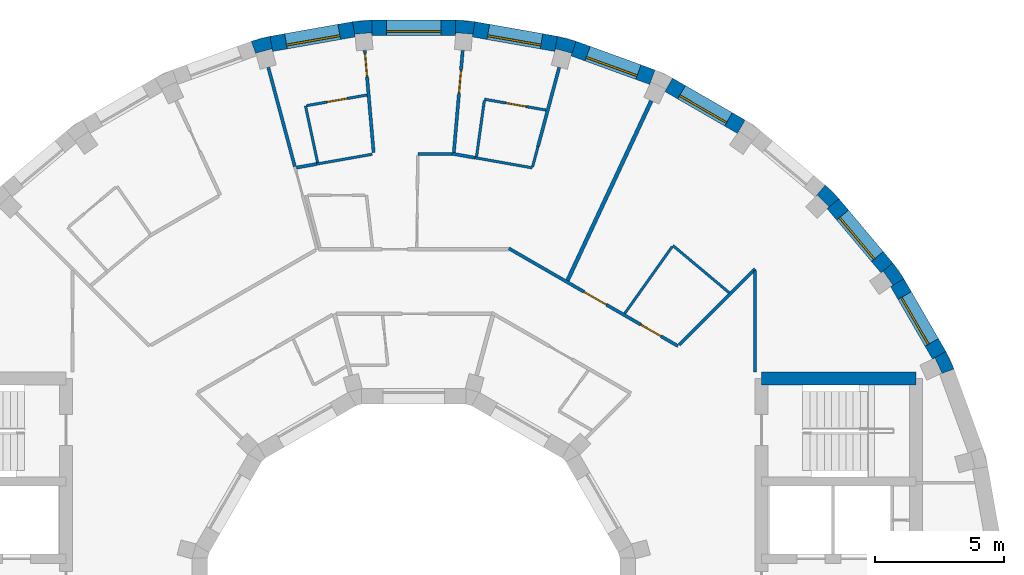
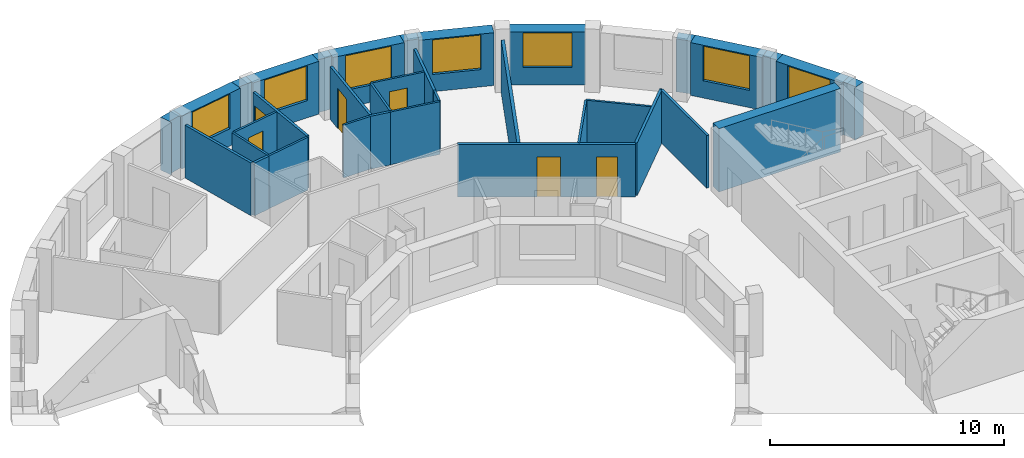
# One storey, part 10 of 12: 35 walls, 7 windows, 6 doors, 13 openings.
"""IFC4 building model written with IfcOpenShell, lengths in metres."""

from ifc_helpers import new_model, si_unit, direction, frame, frame_2d, origin, place, context, subcontext, project, spatial, polyline, rectangle, outline, extrude, material, layer, layer_set, type_object, element, fill, save


model = new_model("IFC4")

# Units and contexts
model_context = context("Model", 3, precision=1e-05, world=origin(), true_north=direction((0.0, 1.0)))
body_context = subcontext(model_context, "Body", "Model", "MODEL_VIEW")
ifc_project = project(units=[si_unit("LENGTHUNIT", "METRE"), si_unit("AREAUNIT", "SQUARE_METRE"), si_unit("VOLUMEUNIT", "CUBIC_METRE"), si_unit("PLANEANGLEUNIT", "RADIAN"), si_unit("MASSUNIT", "GRAM", prefix="KILO")], contexts=[model_context])

# Site, building, storey
site_placement = place(None, origin())
site = spatial("IfcSite", under=ifc_project, at=site_placement, CompositionType="ELEMENT")
building_placement = place(site_placement, origin())
building = spatial("IfcBuilding", under=site, at=building_placement, Name="Saqina Gate Tower", CompositionType="ELEMENT")
storey_placement = place(building_placement, frame((0.0, 0.0, 275.89990234375)))
storey = spatial("IfcBuildingStorey", under=building, at=storey_placement, Name="L79", CompositionType="ELEMENT", Elevation=275.89990234375)

# Walls
ifc_material_1 = material(Name="Brick masonry (buff)", Category="masonry")
wall_type_1 = type_object("IfcWallType", Name="BRICK PIER COPING BUFF", PredefinedType="SOLIDWALL", material=ifc_material_1)
wall_1_placement = place(storey_placement, origin())
element("IfcWall", 1, at=wall_1_placement, inside=storey, type_object=wall_type_1, Name="Pier cap L79 column 3", PredefinedType="SOLIDWALL", context=body_context, shape_type="SweptSolid", body=[
    extrude(outline(polyline([(20.974609375, 9.3642578125), (20.65576171875, 10.048095703125), (20.135986328125, 9.748291015625), (20.23193359375, 9.79296875), (20.506591796875, 9.203857421875), (20.410888671875, 9.1591796875), (20.974609375, 9.3642578125)])), origin(), (0.0, 0.0, 1.0), 2.75),
])
wall_2_placement = place(storey_placement, origin())
element("IfcWall", 2, at=wall_2_placement, inside=storey, type_object=wall_type_1, Name="Pier cap L79 column 4", PredefinedType="SOLIDWALL", context=body_context, shape_type="SweptSolid", body=[
    extrude(outline(polyline([(19.02978515625, 12.8642578125), (18.59716796875, 13.482421875), (18.137451171875, 13.0966796875), (18.22412109375, 13.157470703125), (18.596923828125, 12.625), (18.51025390625, 12.564208984375), (19.02978515625, 12.8642578125)])), origin(), (0.0, 0.0, 1.0), 2.75),
])
wall_3_placement = place(storey_placement, origin())
element("IfcWall", 3, at=wall_3_placement, inside=storey, type_object=wall_type_1, Name="Pier cap L79 column 5", PredefinedType="SOLIDWALL", context=body_context, shape_type="SweptSolid", body=[
    extrude(outline(polyline([(15.973388671875, 16.5068359375), (15.587646484375, 16.04736328125), (15.662353515625, 16.1220703125), (16.1220703125, 15.662353515625), (16.04736328125, 15.587646484375), (16.5068359375, 15.973388671875), (15.973388671875, 16.5068359375)])), origin(), (0.0, 0.0, 1.0), 2.75),
])
wall_4_placement = place(storey_placement, origin())
element("IfcWall", 4, at=wall_4_placement, inside=storey, type_object=wall_type_1, Name="Pier cap L79 column 8", PredefinedType="SOLIDWALL", context=body_context, shape_type="SweptSolid", body=[
    extrude(outline(polyline([(5.579833984375, 22.281982421875), (5.4755859375, 21.691162109375), (5.5029296875, 21.793212890625), (6.130859375, 21.625), (6.103515625, 21.52294921875), (6.30859375, 22.0869140625), (5.579833984375, 22.281982421875)])), origin(), (0.0, 0.0, 1.0), 2.75),
])
wall_5_placement = place(storey_placement, origin())
element("IfcWall", 5, at=wall_5_placement, inside=storey, type_object=wall_type_1, Name="Pier cap L79 column 9", PredefinedType="SOLIDWALL", context=body_context, shape_type="SweptSolid", body=[
    extrude(outline(polyline([(2.377685546875, 22.8466796875), (1.625732421875, 22.91259765625), (1.625732421875, 22.3125), (1.635009765625, 22.417724609375), (2.28271484375, 22.361083984375), (2.2734375, 22.255859375), (2.377685546875, 22.8466796875)])), origin(), (0.0, 0.0, 1.0), 2.75),
])
wall_6_placement = place(storey_placement, origin())
element("IfcWall", 6, at=wall_6_placement, inside=storey, type_object=wall_type_1, Name="Pier cap L79 column 10", PredefinedType="SOLIDWALL", context=body_context, shape_type="SweptSolid", body=[
    extrude(outline(polyline([(-1.625732421875, 22.91259765625), (-2.377685546875, 22.8466796875), (-2.2734375, 22.255859375), (-2.28271484375, 22.361083984375), (-1.635009765625, 22.417724609375), (-1.625732421875, 22.3125), (-1.625732421875, 22.91259765625)])), origin(), (0.0, 0.0, 1.0), 2.75),
])
wall_7_placement = place(storey_placement, origin())
element("IfcWall", 7, at=wall_7_placement, inside=storey, type_object=wall_type_1, Name="Pier cap L79 column 11", PredefinedType="SOLIDWALL", context=body_context, shape_type="SweptSolid", body=[
    extrude(outline(polyline([(-6.30859375, 22.0869140625), (-6.103515625, 21.52294921875), (-6.130859375, 21.625), (-5.5029296875, 21.793212890625), (-5.4755859375, 21.691162109375), (-5.579833984375, 22.281982421875), (-6.30859375, 22.0869140625)])), origin(), (0.0, 0.0, 1.0), 2.75),
])

# Wall, opening, window
ifc_material_2 = material(Name="Brick masonry (buff)", Category="masonry")
ifc_layer_1 = layer(ifc_material_2, 0.60009765625)
ifc_layer_set_1 = layer_set([ifc_layer_1], Name="FW-BRICK-BUFF")
wall_type_2 = type_object("IfcWallType", Name="FW-BRICK-BUFF", PredefinedType="SOLIDWALL", material=ifc_layer_set_1)
wall_8_placement = place(storey_placement, frame((20.39599609375, 9.898193359375, 0.0), z_axis=(0.0, 0.0, 1.0), x_axis=(-0.500014901547, 0.866016800201, 0.0)))
wall_8 = element("IfcWall", 8, at=wall_8_placement, inside=storey, type_object=wall_type_2, Name="Facade wall L79 facet 3", PredefinedType="SOLIDWALL", context=body_context, shape_type="SweptSolid", body=[
    extrude(rectangle(XDim=3.251953125, YDim=0.60009765625, at=frame_2d((1.6259765625, 0.0))), origin(), (0.0, 0.0, 1.0), 2.75),
])
opening_1_placement = place(wall_8_placement, frame((0.57568359375, 0.0, 0.89990234375)))
opening_1 = element("IfcOpeningElement", 9, at=opening_1_placement, cuts=wall_8, Name="Opening G23-W01", PredefinedType="OPENING", context=body_context, shape_type="SweptSolid", body=[
    extrude(rectangle(XDim=2.10009765625, YDim=1.800048828125, at=frame_2d((1.050048828125, 0.89990234375))), frame((0.0, 0.31201171875, 0.0), z_axis=(0.0, -1.0, 0.0), x_axis=(1.0, 0.0, 0.0)), (0.0, 0.0, 1.0), 0.6240234375),
])
ifc_material_3 = material(Name="Aluminium glazing", Category="aluminium")
window_type = type_object("IfcWindowType", Name="WN-D", PartitioningType="SINGLE_PANEL", PredefinedType="WINDOW", material=ifc_material_3)
window_1_placement = place(opening_1_placement, origin())
window_1 = element("IfcWindow", 10, at=window_1_placement, inside=storey, type_object=window_type, Name="Window L79 facet 3", OverallHeight=1.800048828125, OverallWidth=2.10009765625, PartitioningType="SINGLE_PANEL", PredefinedType="WINDOW", context=body_context, shape_type="SweptSolid", body=[
    extrude(rectangle(XDim=2.10009765625, YDim=1.800048828125, at=frame_2d((1.050048828125, 0.89990234375))), frame((0.0, 0.179931640625, 0.0), z_axis=(0.0, -1.0, 0.0), x_axis=(1.0, 0.0, 0.0)), (0.0, 0.0, 1.0), 0.06005859375),
])
fill(opening_1, window_1)

wall_9_placement = place(storey_placement, frame((18.3671875, 13.28955078125, 0.0), z_axis=(0.0, 0.0, 1.0), x_axis=(-0.64277291405, 0.766056773982, 0.0)))
wall_9 = element("IfcWall", 11, at=wall_9_placement, inside=storey, type_object=wall_type_2, Name="Facade wall L79 facet 4", PredefinedType="SOLIDWALL", context=body_context, shape_type="SweptSolid", body=[
    extrude(rectangle(XDim=3.251708984375, YDim=0.60009765625, at=frame_2d((1.6259765625, 0.0))), origin(), (0.0, 0.0, 1.0), 2.75),
])
opening_2_placement = place(wall_9_placement, frame((0.57568359375, 0.0, 0.89990234375)))
opening_2 = element("IfcOpeningElement", 12, at=opening_2_placement, cuts=wall_9, Name="Opening G23-W02", PredefinedType="OPENING", context=body_context, shape_type="SweptSolid", body=[
    extrude(rectangle(XDim=2.10009765625, YDim=1.800048828125, at=frame_2d((1.050048828125, 0.89990234375))), frame((0.0, 0.31201171875, 0.0), z_axis=(0.0, -1.0, 0.0), x_axis=(1.0, 0.0, 0.0)), (0.0, 0.0, 1.0), 0.6240234375),
])
window_2_placement = place(opening_2_placement, origin())
window_2 = element("IfcWindow", 13, at=window_2_placement, inside=storey, type_object=window_type, Name="Window L79 facet 4", OverallHeight=1.800048828125, OverallWidth=2.10009765625, PartitioningType="SINGLE_PANEL", PredefinedType="WINDOW", context=body_context, shape_type="SweptSolid", body=[
    extrude(rectangle(XDim=2.10009765625, YDim=1.800048828125, at=frame_2d((1.050048828125, 0.89990234375))), frame((0.0, 0.179931640625, 0.0), z_axis=(0.0, -1.0, 0.0), x_axis=(1.0, 0.0, 0.0)), (0.0, 0.0, 1.0), 0.06005859375),
])
fill(opening_2, window_2)

wall_10_placement = place(storey_placement, frame((12.71435546875, 18.77001953125, 0.0), z_axis=(0.0, 0.0, 1.0), x_axis=(-0.866016800201, 0.500014901547, 0.0)))
wall_10 = element("IfcWall", 14, at=wall_10_placement, inside=storey, type_object=wall_type_2, Name="Facade wall L79 facet 6", PredefinedType="SOLIDWALL", context=body_context, shape_type="SweptSolid", body=[
    extrude(rectangle(XDim=3.251953125, YDim=0.60009765625, at=frame_2d((1.6259765625, 0.0))), origin(), (0.0, 0.0, 1.0), 2.75),
])
opening_3_placement = place(wall_10_placement, frame((0.57568359375, 0.0, 0.89990234375)))
opening_3 = element("IfcOpeningElement", 15, at=opening_3_placement, cuts=wall_10, Name="Opening G23-W04", PredefinedType="OPENING", context=body_context, shape_type="SweptSolid", body=[
    extrude(rectangle(XDim=2.10009765625, YDim=1.800048828125, at=frame_2d((1.050048828125, 0.89990234375))), frame((0.0, 0.31201171875, 0.0), z_axis=(0.0, -1.0, 0.0), x_axis=(1.0, 0.0, 0.0)), (0.0, 0.0, 1.0), 0.6240234375),
])
window_3_placement = place(opening_3_placement, origin())
window_3 = element("IfcWindow", 16, at=window_3_placement, inside=storey, type_object=window_type, Name="Window L79 facet 6", OverallHeight=1.800048828125, OverallWidth=2.10009765625, PartitioningType="SINGLE_PANEL", PredefinedType="WINDOW", context=body_context, shape_type="SweptSolid", body=[
    extrude(rectangle(XDim=2.10009765625, YDim=1.800048828125, at=frame_2d((1.050048828125, 0.89990234375))), frame((0.0, 0.179931640625, 0.0), z_axis=(0.0, -1.0, 0.0), x_axis=(1.0, 0.0, 0.0)), (0.0, 0.0, 1.0), 0.06005859375),
])
fill(opening_3, window_3)

wall_11_placement = place(storey_placement, frame((9.26171875, 20.692626953125, 0.0), z_axis=(0.0, 0.0, 1.0), x_axis=(-0.939679383794, 0.342056509473, 0.0)))
wall_11 = element("IfcWall", 17, at=wall_11_placement, inside=storey, type_object=wall_type_2, Name="Facade wall L79 facet 7", PredefinedType="SOLIDWALL", context=body_context, shape_type="SweptSolid", body=[
    extrude(rectangle(XDim=3.251708984375, YDim=0.60009765625, at=frame_2d((1.6259765625, 0.0))), origin(), (0.0, 0.0, 1.0), 2.75),
])
opening_4_placement = place(wall_11_placement, frame((0.57568359375, 0.0, 0.89990234375)))
opening_4 = element("IfcOpeningElement", 18, at=opening_4_placement, cuts=wall_11, Name="Opening G23-W05", PredefinedType="OPENING", context=body_context, shape_type="SweptSolid", body=[
    extrude(rectangle(XDim=2.10009765625, YDim=1.800048828125, at=frame_2d((1.050048828125, 0.89990234375))), frame((0.0, 0.31201171875, 0.0), z_axis=(0.0, -1.0, 0.0), x_axis=(1.0, 0.0, 0.0)), (0.0, 0.0, 1.0), 0.6240234375),
])
window_4_placement = place(opening_4_placement, origin())
window_4 = element("IfcWindow", 19, at=window_4_placement, inside=storey, type_object=window_type, Name="Window L79 facet 7", OverallHeight=1.800048828125, OverallWidth=2.10009765625, PartitioningType="SINGLE_PANEL", PredefinedType="WINDOW", context=body_context, shape_type="SweptSolid", body=[
    extrude(rectangle(XDim=2.10009765625, YDim=1.800048828125, at=frame_2d((1.050048828125, 0.89990234375))), frame((0.0, 0.179931640625, 0.0), z_axis=(0.0, -1.0, 0.0), x_axis=(1.0, 0.0, 0.0)), (0.0, 0.0, 1.0), 0.06005859375),
])
fill(opening_4, window_4)

wall_12_placement = place(storey_placement, frame((5.52783203125, 21.986572265625, 0.0), z_axis=(0.0, 0.0, 1.0), x_axis=(-0.984806225186, 0.173656842178, 0.0)))
wall_12 = element("IfcWall", 20, at=wall_12_placement, inside=storey, type_object=wall_type_2, Name="Facade wall L79 facet 8", PredefinedType="SOLIDWALL", context=body_context, shape_type="SweptSolid", body=[
    extrude(rectangle(XDim=3.251708984375, YDim=0.60009765625, at=frame_2d((1.6259765625, 0.0))), origin(), (0.0, 0.0, 1.0), 2.75),
])
opening_5_placement = place(wall_12_placement, frame((0.57568359375, 0.0, 0.89990234375)))
opening_5 = element("IfcOpeningElement", 21, at=opening_5_placement, cuts=wall_12, Name="Opening G23-W06", PredefinedType="OPENING", context=body_context, shape_type="SweptSolid", body=[
    extrude(rectangle(XDim=2.10009765625, YDim=1.800048828125, at=frame_2d((1.050048828125, 0.89990234375))), frame((0.0, 0.31201171875, 0.0), z_axis=(0.0, -1.0, 0.0), x_axis=(1.0, 0.0, 0.0)), (0.0, 0.0, 1.0), 0.6240234375),
])
window_5_placement = place(opening_5_placement, origin())
window_5 = element("IfcWindow", 22, at=window_5_placement, inside=storey, type_object=window_type, Name="Window L79 facet 8", OverallHeight=1.800048828125, OverallWidth=2.10009765625, PartitioningType="SINGLE_PANEL", PredefinedType="WINDOW", context=body_context, shape_type="SweptSolid", body=[
    extrude(rectangle(XDim=2.10009765625, YDim=1.800048828125, at=frame_2d((1.050048828125, 0.89990234375))), frame((0.0, 0.179931640625, 0.0), z_axis=(0.0, -1.0, 0.0), x_axis=(1.0, 0.0, 0.0)), (0.0, 0.0, 1.0), 0.06005859375),
])
fill(opening_5, window_5)

wall_13_placement = place(storey_placement, frame((1.625732421875, 22.612548828125, 0.0), z_axis=(0.0, 0.0, 1.0), x_axis=(-1.0, 0.0, 0.0)))
wall_13 = element("IfcWall", 23, at=wall_13_placement, inside=storey, type_object=wall_type_2, Name="Facade wall L79 facet 9", PredefinedType="SOLIDWALL", context=body_context, shape_type="SweptSolid", body=[
    extrude(rectangle(XDim=3.25146484375, YDim=0.60009765625, at=frame_2d((1.625732421875, 0.0))), origin(), (0.0, 0.0, 1.0), 2.75),
])
opening_6_placement = place(wall_13_placement, frame((0.57568359375, 0.0, 0.89990234375)))
opening_6 = element("IfcOpeningElement", 24, at=opening_6_placement, cuts=wall_13, Name="Opening G23-W07", PredefinedType="OPENING", context=body_context, shape_type="SweptSolid", body=[
    extrude(rectangle(XDim=2.10009765625, YDim=1.800048828125, at=frame_2d((1.050048828125, 0.89990234375))), frame((0.0, 0.31201171875, 0.0), z_axis=(0.0, -1.0, 0.0), x_axis=(1.0, 0.0, 0.0)), (0.0, 0.0, 1.0), 0.6240234375),
])
window_6_placement = place(opening_6_placement, origin())
window_6 = element("IfcWindow", 25, at=window_6_placement, inside=storey, type_object=window_type, Name="Window L79 facet 9", OverallHeight=1.800048828125, OverallWidth=2.10009765625, PartitioningType="SINGLE_PANEL", PredefinedType="WINDOW", context=body_context, shape_type="SweptSolid", body=[
    extrude(rectangle(XDim=2.10009765625, YDim=1.800048828125, at=frame_2d((1.050048828125, 0.89990234375))), frame((0.0, 0.179931640625, 0.0), z_axis=(0.0, -1.0, 0.0), x_axis=(1.0, 0.0, 0.0)), (0.0, 0.0, 1.0), 0.06005859375),
])
fill(opening_6, window_6)

wall_14_placement = place(storey_placement, frame((-2.325439453125, 22.55126953125, 0.0), z_axis=(0.0, 0.0, 1.0), x_axis=(-0.984806225186, -0.173656842178, 0.0)))
wall_14 = element("IfcWall", 26, at=wall_14_placement, inside=storey, type_object=wall_type_2, Name="Facade wall L79 facet 10", PredefinedType="SOLIDWALL", context=body_context, shape_type="SweptSolid", body=[
    extrude(rectangle(XDim=3.251708984375, YDim=0.60009765625, at=frame_2d((1.6259765625, 0.0))), origin(), (0.0, 0.0, 1.0), 2.75),
])
opening_7_placement = place(wall_14_placement, frame((0.57568359375, 0.0, 0.89990234375)))
opening_7 = element("IfcOpeningElement", 27, at=opening_7_placement, cuts=wall_14, Name="Opening G23-W08", PredefinedType="OPENING", context=body_context, shape_type="SweptSolid", body=[
    extrude(rectangle(XDim=2.10009765625, YDim=1.800048828125, at=frame_2d((1.050048828125, 0.89990234375))), frame((0.0, 0.31201171875, 0.0), z_axis=(0.0, -1.0, 0.0), x_axis=(1.0, 0.0, 0.0)), (0.0, 0.0, 1.0), 0.6240234375),
])
window_7_placement = place(opening_7_placement, origin())
window_7 = element("IfcWindow", 28, at=window_7_placement, inside=storey, type_object=window_type, Name="Window L79 facet 10", OverallHeight=1.800048828125, OverallWidth=2.10009765625, PartitioningType="SINGLE_PANEL", PredefinedType="WINDOW", context=body_context, shape_type="SweptSolid", body=[
    extrude(rectangle(XDim=2.10009765625, YDim=1.800048828125, at=frame_2d((1.050048828125, 0.89990234375))), frame((0.0, 0.179931640625, 0.0), z_axis=(0.0, -1.0, 0.0), x_axis=(1.0, 0.0, 0.0)), (0.0, 0.0, 1.0), 0.06005859375),
])
fill(opening_7, window_7)

# Walls
ifc_material_4 = material(Name="Gypsum board on steel studs, 100 mm", Category="steel")
ifc_layer_2 = layer(ifc_material_4, 0.10009765625)
ifc_layer_set_2 = layer_set([ifc_layer_2], Name="PARTITION 100")
wall_type_3 = type_object("IfcWallType", Name="PARTITION 100", PredefinedType="PARTITIONING", material=ifc_layer_set_2)
wall_15_placement = place(storey_placement, frame((-4.202880859375, 19.580078125, 0.0), z_axis=(0.0, 0.0, 1.0), x_axis=(0.209840128727, -0.977735710904, 0.0)))
element("IfcWall", 29, at=wall_15_placement, inside=storey, type_object=wall_type_3, Name="PARTITION PW3-04", PredefinedType="PARTITIONING", context=body_context, shape_type="SweptSolid", body=[
    extrude(rectangle(XDim=2.251220703125, YDim=0.10009765625, at=frame_2d((1.12548828125, 0.0))), origin(), (0.0, 0.0, 1.0), 2.75),
])
wall_16_placement = place(storey_placement, frame((10.06298828125, 14.156005859375, 0.0), z_axis=(0.0, 0.0, 1.0), x_axis=(0.766190179172, -0.642613888225, 0.0)))
element("IfcWall", 30, at=wall_16_placement, inside=storey, type_object=wall_type_3, Name="PARTITION PW3-17", PredefinedType="PARTITIONING", context=body_context, shape_type="SweptSolid", body=[
    extrude(rectangle(XDim=2.843017578125, YDim=0.10009765625, at=frame_2d((1.42138671875, 0.0))), origin(), (0.0, 0.0, 1.0), 2.75),
])
wall_17_placement = place(storey_placement, frame((2.3818359375, 17.565673828125, 0.0), z_axis=(0.0, 0.0, 1.0), x_axis=(0.984785740028, -0.173772973268, 0.0)))
element("IfcWall", 31, at=wall_17_placement, inside=storey, type_object=wall_type_3, Name="PARTITION PW3-23", PredefinedType="PARTITIONING", context=body_context, shape_type="SweptSolid", body=[
    extrude(rectangle(XDim=2.25341796875, YDim=0.10009765625, at=frame_2d((1.126708984375, 0.0))), origin(), (0.0, 0.0, 1.0), 2.75),
])

# Wall, opening, door
wall_18_placement = place(storey_placement, frame((2.7470703125, 19.8369140625, 0.0), z_axis=(0.0, 0.0, 1.0), x_axis=(0.984763301444, -0.17390008663, 0.0)))
wall_18 = element("IfcWall", 32, at=wall_18_placement, inside=storey, type_object=wall_type_3, Name="PARTITION PW3-24", PredefinedType="PARTITIONING", context=body_context, shape_type="SweptSolid", body=[
    extrude(rectangle(XDim=2.42724609375, YDim=0.10009765625, at=frame_2d((1.213623046875, 0.0))), origin(), (0.0, 0.0, 1.0), 2.75),
])
opening_8_placement = place(wall_18_placement, frame((0.844970703125, 0.0, 0.0)))
opening_8 = element("IfcOpeningElement", 33, at=opening_8_placement, cuts=wall_18, Name="Opening G23-D05", PredefinedType="OPENING", context=body_context, shape_type="SweptSolid", body=[
    extrude(rectangle(XDim=0.800048828125, YDim=2.10009765625, at=frame_2d((0.39990234375, 1.050048828125))), frame((0.0, 0.06201171875, 0.0), z_axis=(0.0, -1.0, 0.0), x_axis=(1.0, 0.0, 0.0)), (0.0, 0.0, 1.0), 0.1240234375),
])
ifc_material_5 = material(Name="Timber door leaf, 800 mm", Category="wood")
door_type_1 = type_object("IfcDoorType", Name="DOOR 800 TIMBER", OperationType="SINGLE_SWING_LEFT", PredefinedType="DOOR", material=ifc_material_5)
door_1_placement = place(opening_8_placement, origin())
door_1 = element("IfcDoor", 34, at=door_1_placement, inside=storey, type_object=door_type_1, Name="DOOR G23-D05", OperationType="SINGLE_SWING_RIGHT", OverallHeight=2.10009765625, OverallWidth=0.800048828125, PredefinedType="DOOR", context=body_context, shape_type="SweptSolid", body=[
    extrude(rectangle(XDim=0.800048828125, YDim=2.10009765625, at=frame_2d((0.39990234375, 1.050048828125))), frame((0.0, 0.02490234375, 0.0), z_axis=(0.0, -1.0, 0.0), x_axis=(1.0, 0.0, 0.0)), (0.0, 0.0, 1.0), 0.050048828125),
])
fill(opening_8, door_1)

# Walls
wall_19_placement = place(storey_placement, frame((0.156982421875, 17.7119140625, 0.0), z_axis=(0.0, 0.0, 1.0), x_axis=(1.0, 0.0, 0.0)))
element("IfcWall", 35, at=wall_19_placement, inside=storey, type_object=wall_type_3, Name="PARTITION PW3-28", PredefinedType="PARTITIONING", context=body_context, shape_type="SweptSolid", body=[
    extrude(rectangle(XDim=1.32958984375, YDim=0.10009765625, at=frame_2d((0.664794921875, 0.0))), origin(), (0.0, 0.0, 1.0), 2.75),
])
wall_20_placement = place(storey_placement, frame((-3.76904296875, 17.32080078125, 0.0), z_axis=(0.0, 0.0, 1.0), x_axis=(0.984849681909, 0.173410218971, 0.0)))
element("IfcWall", 36, at=wall_20_placement, inside=storey, type_object=wall_type_3, Name="PARTITION PW3-31", PredefinedType="PARTITIONING", context=body_context, shape_type="SweptSolid", body=[
    extrude(rectangle(XDim=2.190673828125, YDim=0.10009765625, at=frame_2d((1.09521484375, 0.0))), origin(), (0.0, 0.0, 1.0), 2.75),
])

# Wall, opening, door
wall_21_placement = place(storey_placement, frame((-4.15380859375, 19.588623046875, 0.0), z_axis=(0.0, 0.0, 1.0), x_axis=(0.984824883782, 0.173550996204, 0.0)))
wall_21 = element("IfcWall", 37, at=wall_21_placement, inside=storey, type_object=wall_type_3, Name="PARTITION PW3-32", PredefinedType="PARTITIONING", context=body_context, shape_type="SweptSolid", body=[
    extrude(rectangle(XDim=2.37744140625, YDim=0.10009765625, at=frame_2d((1.188720703125, 0.0))), origin(), (0.0, 0.0, 1.0), 2.75),
])
opening_9_placement = place(wall_21_placement, frame((0.794921875, 0.0, 0.0)))
opening_9 = element("IfcOpeningElement", 38, at=opening_9_placement, cuts=wall_21, Name="Opening G23-D13", PredefinedType="OPENING", context=body_context, shape_type="SweptSolid", body=[
    extrude(rectangle(XDim=0.800048828125, YDim=2.10009765625, at=frame_2d((0.39990234375, 1.050048828125))), frame((0.0, 0.06201171875, 0.0), z_axis=(0.0, -1.0, 0.0), x_axis=(1.0, 0.0, 0.0)), (0.0, 0.0, 1.0), 0.1240234375),
])
door_2_placement = place(opening_9_placement, origin())
door_2 = element("IfcDoor", 39, at=door_2_placement, inside=storey, type_object=door_type_1, Name="DOOR G23-D13", OperationType="SINGLE_SWING_RIGHT", OverallHeight=2.10009765625, OverallWidth=0.800048828125, PredefinedType="DOOR", context=body_context, shape_type="SweptSolid", body=[
    extrude(rectangle(XDim=0.800048828125, YDim=2.10009765625, at=frame_2d((0.39990234375, 1.050048828125))), frame((0.0, 0.02490234375, 0.0), z_axis=(0.0, -1.0, 0.0), x_axis=(1.0, 0.0, 0.0)), (0.0, 0.0, 1.0), 0.050048828125),
])
fill(opening_9, door_2)

# Walls
wall_22_placement = place(storey_placement, frame((8.190185546875, 11.52099609375, 0.0), z_axis=(0.0, 0.0, 1.0), x_axis=(0.579306394217, 0.815109870888, 0.0)))
element("IfcWall", 40, at=wall_22_placement, inside=storey, type_object=wall_type_3, Name="PARTITION PW3-43", PredefinedType="PARTITIONING", context=body_context, shape_type="SweptSolid", body=[
    extrude(rectangle(XDim=3.1826171875, YDim=0.10009765625, at=frame_2d((1.59130859375, 0.0))), origin(), (0.0, 0.0, 1.0), 2.75),
])
wall_23_placement = place(storey_placement, frame((4.614990234375, 17.222412109375, 0.0), z_axis=(0.0, 0.0, 1.0), x_axis=(0.258549220772, 0.965998085111, 0.0)))
element("IfcWall", 41, at=wall_23_placement, inside=storey, type_object=wall_type_3, Name="PARTITION PW3-49", PredefinedType="PARTITIONING", context=body_context, shape_type="SweptSolid", body=[
    extrude(rectangle(XDim=0.805419921875, YDim=0.10009765625, at=frame_2d((0.40283203125, 0.0))), origin(), (0.0, 0.0, 1.0), 2.75),
])
wall_24_placement = place(storey_placement, frame((2.439697265625, 17.618896484375, 0.0), z_axis=(0.0, 0.0, 1.0), x_axis=(0.137282681999, 0.99053191025, 0.0)))
element("IfcWall", 42, at=wall_24_placement, inside=storey, type_object=wall_type_3, Name="PARTITION PW3-50", PredefinedType="PARTITIONING", context=body_context, shape_type="SweptSolid", body=[
    extrude(rectangle(XDim=2.189208984375, YDim=0.10009765625, at=frame_2d((1.0947265625, 0.0))), origin(), (0.0, 0.0, 1.0), 2.75),
])

# Wall, opening, door
ifc_material_6 = material(Name="Gypsum board on steel studs, 125 mm, fire rated", Category="steel")
ifc_layer_3 = layer(ifc_material_6, 0.125)
ifc_layer_set_3 = layer_set([ifc_layer_3], Name="PARTITION EI 30 125")
wall_type_4 = type_object("IfcWallType", Name="PARTITION EI 30 125", PredefinedType="PARTITIONING", material=ifc_layer_set_3)
wall_25_placement = place(storey_placement, frame((-1.901611328125, 21.73193359375, 0.0), z_axis=(0.0, 0.0, 1.0), x_axis=(0.086666644389, -0.996237367674, 0.0)))
wall_25 = element("IfcWall", 43, at=wall_25_placement, inside=storey, type_object=wall_type_4, Name="PARTITION PW1-01", PredefinedType="PARTITIONING", context=body_context, shape_type="SweptSolid", body=[
    extrude(rectangle(XDim=3.983154296875, YDim=0.125, at=frame_2d((1.99169921875, 0.0))), origin(), (0.0, 0.0, 1.0), 2.75),
])
opening_10_placement = place(wall_25_placement, frame((0.122314453125, 0.0, 0.0)))
opening_10 = element("IfcOpeningElement", 44, at=opening_10_placement, cuts=wall_25, Name="Opening G23-D11", PredefinedType="OPENING", context=body_context, shape_type="SweptSolid", body=[
    extrude(rectangle(XDim=0.89990234375, YDim=2.10009765625, at=frame_2d((0.449951171875, 1.050048828125))), frame((0.0, 0.074462890625, 0.0), z_axis=(0.0, -1.0, 0.0), x_axis=(1.0, 0.0, 0.0)), (0.0, 0.0, 1.0), 0.14892578125),
])
ifc_material_7 = material(Name="Fire door leaf EI 30, 900 mm")
door_type_2 = type_object("IfcDoorType", Name="DOOR 900 EI 30", OperationType="SINGLE_SWING_LEFT", PredefinedType="DOOR", material=ifc_material_7)
door_3_placement = place(opening_10_placement, origin())
door_3 = element("IfcDoor", 45, at=door_3_placement, inside=storey, type_object=door_type_2, Name="DOOR G23-D11", OperationType="SINGLE_SWING_LEFT", OverallHeight=2.10009765625, OverallWidth=0.89990234375, PredefinedType="DOOR", context=body_context, shape_type="SweptSolid", body=[
    extrude(rectangle(XDim=0.89990234375, YDim=2.10009765625, at=frame_2d((0.449951171875, 1.050048828125))), frame((0.0, 0.02490234375, 0.0), z_axis=(0.0, -1.0, 0.0), x_axis=(1.0, 0.0, 0.0)), (0.0, 0.0, 1.0), 0.050048828125),
])
fill(opening_10, door_3)

# Wall
wall_26_placement = place(storey_placement, frame((-5.64599609375, 21.07177734375, 0.0), z_axis=(0.0, 0.0, 1.0), x_axis=(0.258718732156, -0.965952699479, 0.0)))
element("IfcWall", 46, at=wall_26_placement, inside=storey, type_object=wall_type_4, Name="PARTITION PW1-04", PredefinedType="PARTITIONING", context=body_context, shape_type="SweptSolid", body=[
    extrude(rectangle(XDim=3.985107421875, YDim=0.125, at=frame_2d((1.99267578125, 0.0))), origin(), (0.0, 0.0, 1.0), 2.75),
])

# Wall, openings, doors
wall_27_placement = place(storey_placement, frame((3.6904296875, 14.046630859375, 0.0), z_axis=(0.0, 0.0, 1.0), x_axis=(0.86603489676, -0.499983557323, 0.0)))
wall_27 = element("IfcWall", 47, at=wall_27_placement, inside=storey, type_object=wall_type_4, Name="PARTITION PW1-16", PredefinedType="PARTITIONING", context=body_context, shape_type="SweptSolid", body=[
    extrude(rectangle(XDim=7.581298828125, YDim=0.125, at=frame_2d((3.79052734375, 0.0))), origin(), (0.0, 0.0, 1.0), 2.75),
])
opening_11_placement = place(wall_27_placement, frame((5.91748046875, 0.0, 0.0)))
opening_11 = element("IfcOpeningElement", 48, at=opening_11_placement, cuts=wall_27, Name="Opening G23-D01", PredefinedType="OPENING", context=body_context, shape_type="SweptSolid", body=[
    extrude(rectangle(XDim=0.89990234375, YDim=2.10009765625, at=frame_2d((0.449951171875, 1.050048828125))), frame((0.0, 0.074462890625, 0.0), z_axis=(0.0, -1.0, 0.0), x_axis=(1.0, 0.0, 0.0)), (0.0, 0.0, 1.0), 0.14892578125),
])
opening_12_placement = place(wall_27_placement, frame((3.37744140625, 0.0, 0.0)))
opening_12 = element("IfcOpeningElement", 49, at=opening_12_placement, cuts=wall_27, Name="Opening G23-D03", PredefinedType="OPENING", context=body_context, shape_type="SweptSolid", body=[
    extrude(rectangle(XDim=1.0, YDim=2.10009765625, at=frame_2d((0.5, 1.050048828125))), frame((0.0, 0.074462890625, 0.0), z_axis=(0.0, -1.0, 0.0), x_axis=(1.0, 0.0, 0.0)), (0.0, 0.0, 1.0), 0.14892578125),
])
ifc_material_8 = material(Name="Fire door leaf EI 30, 1000 mm")
door_type_3 = type_object("IfcDoorType", Name="DOOR 1000 EI 30", OperationType="SINGLE_SWING_LEFT", PredefinedType="DOOR", material=ifc_material_8)
door_4_placement = place(opening_12_placement, frame((1.0, 0.0, 0.0), z_axis=(0.0, 0.0, 1.0), x_axis=(-1.0, 0.0, 0.0)))
door_4 = element("IfcDoor", 50, at=door_4_placement, inside=storey, type_object=door_type_3, Name="DOOR G23-D03", OperationType="SINGLE_SWING_LEFT", OverallHeight=2.10009765625, OverallWidth=1.0, PredefinedType="DOOR", context=body_context, shape_type="SweptSolid", body=[
    extrude(rectangle(XDim=1.0, YDim=2.10009765625, at=frame_2d((0.5, 1.050048828125))), frame((0.0, 0.02490234375, 0.0), z_axis=(0.0, -1.0, 0.0), x_axis=(1.0, 0.0, 0.0)), (0.0, 0.0, 1.0), 0.050048828125),
])
fill(opening_12, door_4)
door_5_placement = place(opening_11_placement, origin())
door_5 = element("IfcDoor", 51, at=door_5_placement, inside=storey, type_object=door_type_2, Name="DOOR G23-D01", OperationType="SINGLE_SWING_RIGHT", OverallHeight=2.10009765625, OverallWidth=0.89990234375, PredefinedType="DOOR", context=body_context, shape_type="SweptSolid", body=[
    extrude(rectangle(XDim=0.89990234375, YDim=2.10009765625, at=frame_2d((0.449951171875, 1.050048828125))), frame((0.0, 0.02490234375, 0.0), z_axis=(0.0, -1.0, 0.0), x_axis=(1.0, 0.0, 0.0)), (0.0, 0.0, 1.0), 0.050048828125),
])
fill(opening_11, door_5)

# Walls
wall_28_placement = place(storey_placement, frame((1.486572265625, 17.72314453125, 0.0), z_axis=(0.0, 0.0, 1.0), x_axis=(0.984880741856, -0.173233727433, 0.0)))
element("IfcWall", 52, at=wall_28_placement, inside=storey, type_object=wall_type_4, Name="PARTITION PW1-17", PredefinedType="PARTITIONING", context=body_context, shape_type="SweptSolid", body=[
    extrude(rectangle(XDim=0.908935546875, YDim=0.125, at=frame_2d((0.45458984375, 0.0))), origin(), (0.0, 0.0, 1.0), 2.75),
])
wall_29_placement = place(storey_placement, frame((-4.5517578125, 17.182861328125, 0.0), z_axis=(0.0, 0.0, 1.0), x_axis=(0.984709236114, 0.174205970944, 0.0)))
element("IfcWall", 53, at=wall_29_placement, inside=storey, type_object=wall_type_4, Name="PARTITION PW1-23", PredefinedType="PARTITIONING", context=body_context, shape_type="SweptSolid", body=[
    extrude(rectangle(XDim=0.794677734375, YDim=0.125, at=frame_2d((0.3974609375, 0.0))), origin(), (0.0, 0.0, 1.0), 2.75),
])
wall_30_placement = place(storey_placement, frame((10.30029296875, 10.30029296875, 0.0), z_axis=(0.0, 0.0, 1.0), x_axis=(0.707106781187, 0.707106781187, 0.0)))
element("IfcWall", 54, at=wall_30_placement, inside=storey, type_object=wall_type_4, Name="PARTITION PW1-35", PredefinedType="PARTITIONING", context=body_context, shape_type="SweptSolid", body=[
    extrude(rectangle(XDim=4.171630859375, YDim=0.125, at=frame_2d((2.0859375, 0.0))), origin(), (0.0, 0.0, 1.0), 2.75),
])
wall_31_placement = place(storey_placement, frame((4.8232421875, 18.00048828125, 0.0), z_axis=(0.0, 0.0, 1.0), x_axis=(0.258924151325, 0.965897657032, 0.0)))
element("IfcWall", 55, at=wall_31_placement, inside=storey, type_object=wall_type_4, Name="PARTITION PW1-37", PredefinedType="PARTITIONING", context=body_context, shape_type="SweptSolid", body=[
    extrude(rectangle(XDim=3.179443359375, YDim=0.125, at=frame_2d((1.58984375, 0.0))), origin(), (0.0, 0.0, 1.0), 2.75),
])

# Wall, opening, door
wall_32_placement = place(storey_placement, frame((1.557373046875, 17.774169921875, 0.0), z_axis=(0.0, 0.0, 1.0), x_axis=(0.086650831404, 0.996238743182, 0.0)))
wall_32 = element("IfcWall", 56, at=wall_32_placement, inside=storey, type_object=wall_type_4, Name="PARTITION PW1-38", PredefinedType="PARTITIONING", context=body_context, shape_type="SweptSolid", body=[
    extrude(rectangle(XDim=3.97265625, YDim=0.125, at=frame_2d((1.986328125, 0.0))), origin(), (0.0, 0.0, 1.0), 2.75),
])
opening_13_placement = place(wall_32_placement, frame((2.296875, 0.0, 0.0)))
opening_13 = element("IfcOpeningElement", 57, at=opening_13_placement, cuts=wall_32, Name="Opening G23-D06", PredefinedType="OPENING", context=body_context, shape_type="SweptSolid", body=[
    extrude(rectangle(XDim=0.89990234375, YDim=2.10009765625, at=frame_2d((0.449951171875, 1.050048828125))), frame((0.0, 0.074462890625, 0.0), z_axis=(0.0, -1.0, 0.0), x_axis=(1.0, 0.0, 0.0)), (0.0, 0.0, 1.0), 0.14892578125),
])
door_6_placement = place(opening_13_placement, origin())
door_6 = element("IfcDoor", 58, at=door_6_placement, inside=storey, type_object=door_type_2, Name="DOOR G23-D06", OperationType="SINGLE_SWING_RIGHT", OverallHeight=2.10009765625, OverallWidth=0.89990234375, PredefinedType="DOOR", context=body_context, shape_type="SweptSolid", body=[
    extrude(rectangle(XDim=0.89990234375, YDim=2.10009765625, at=frame_2d((0.449951171875, 1.050048828125))), frame((0.0, 0.02490234375, 0.0), z_axis=(0.0, -1.0, 0.0), x_axis=(1.0, 0.0, 0.0)), (0.0, 0.0, 1.0), 0.050048828125),
])
fill(opening_13, door_6)

# Walls
wall_33_placement = place(storey_placement, frame((13.25, 9.25, 0.0), z_axis=(0.0, 0.0, 1.0), x_axis=(0.0, 1.0, 0.0)))
element("IfcWall", 59, at=wall_33_placement, inside=storey, type_object=wall_type_4, Name="PARTITION PW1-40", PredefinedType="PARTITIONING", context=body_context, shape_type="SweptSolid", body=[
    extrude(rectangle(XDim=3.9375, YDim=0.125, at=frame_2d((1.96875, 0.0))), origin(), (0.0, 0.0, 1.0), 2.75),
])
ifc_material_9 = material(Name="Gypsum board on steel studs, 150 mm, fire rated", Category="steel")
ifc_layer_4 = layer(ifc_material_9, 0.14990234375)
ifc_layer_set_4 = layer_set([ifc_layer_4], Name="PARTITION EI 60 150")
wall_type_5 = type_object("IfcWallType", Name="PARTITION EI 60 150", PredefinedType="PARTITIONING", material=ifc_layer_set_4)
wall_34_placement = place(storey_placement, frame((5.97021484375, 12.802490234375, 0.0), z_axis=(0.0, 0.0, 1.0), x_axis=(0.422558644833, 0.90633558447, 0.0)))
element("IfcWall", 60, at=wall_34_placement, inside=storey, type_object=wall_type_5, Name="PARTITION PW2-03", PredefinedType="PARTITIONING", context=body_context, shape_type="SweptSolid", body=[
    extrude(rectangle(XDim=7.68896484375, YDim=0.14990234375, at=frame_2d((3.844482421875, 0.0))), origin(), (0.0, 0.0, 1.0), 2.75),
])
ifc_material_10 = material(Name="Concrete C60/75", Category="concrete")
ifc_layer_5 = layer(ifc_material_10, 0.5)
ifc_layer_set_5 = layer_set([ifc_layer_5], Name="Concrete C60/75")
wall_type_6 = type_object("IfcWallType", Name="STR-CORE WALL-D-O", PredefinedType="SHEAR", material=ifc_layer_set_5)
wall_35_placement = place(storey_placement, frame((13.5, 9.0, 0.0), z_axis=(0.0, 0.0, 1.0), x_axis=(1.0, 0.0, 0.0)))
element("IfcWall", 61, at=wall_35_placement, inside=storey, type_object=wall_type_6, Name="CORE WALL L79 E-NE", PredefinedType="SHEAR", context=body_context, shape_type="SweptSolid", body=[
    extrude(rectangle(XDim=6.0, YDim=0.5, at=frame_2d((3.0, 0.0))), origin(), (0.0, 0.0, 1.0), 3.300048828125),
])

save(model, "model.ifc")
